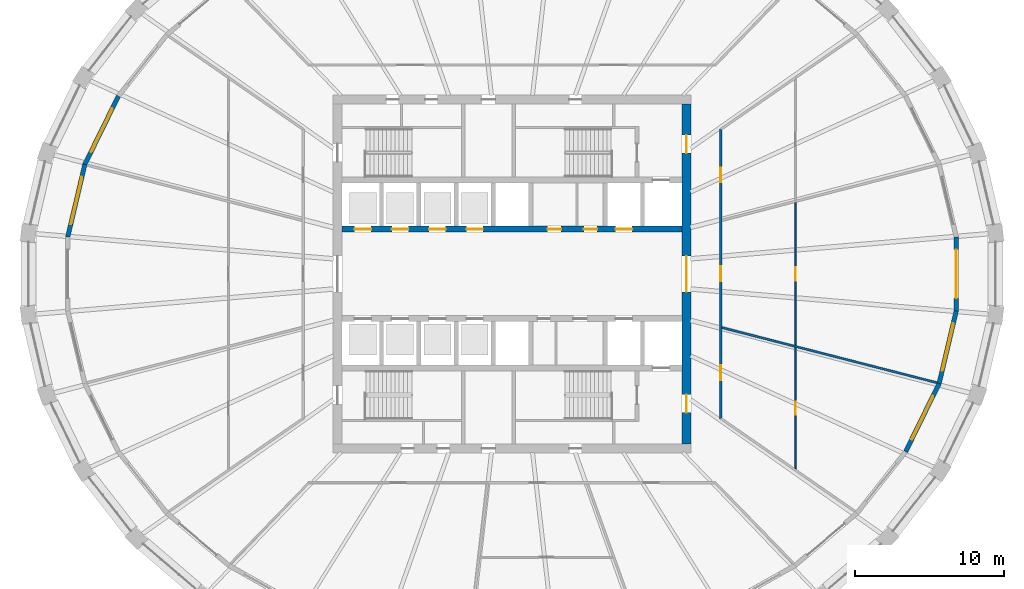
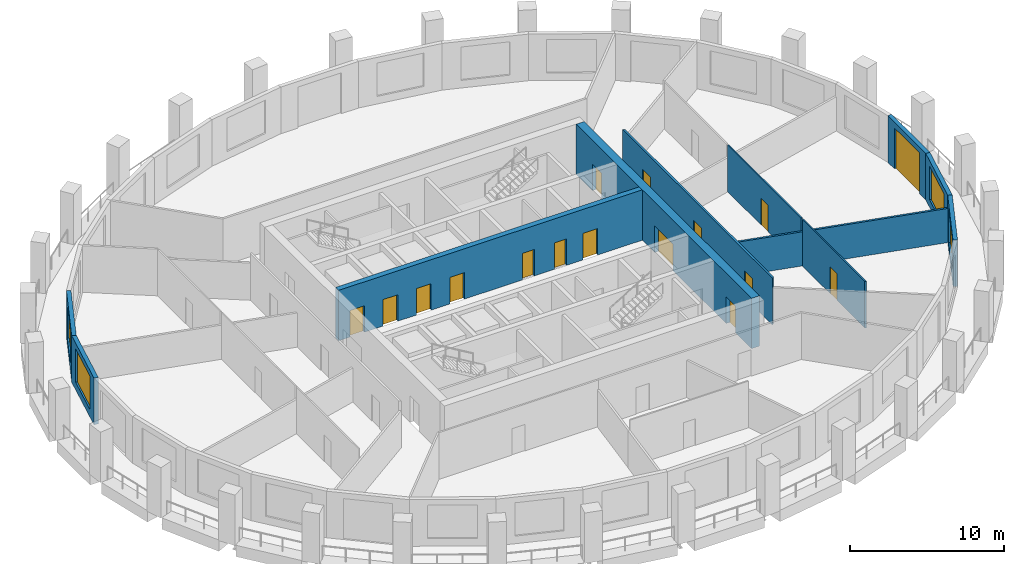
# One storey, part 5 of 10: 16 doors, 11 walls, 4 windows, 20 openings.
"""IFC4 building model written with IfcOpenShell, lengths in metres."""

from ifc_helpers import new_model, si_unit, direction, frame, frame_2d, origin, place, context, subcontext, project, spatial, polyline, rectangle, outline, extrude, material, layer, layer_set, type_object, element, fill, save


model = new_model("IFC4")

# Units and contexts
model_context = context("Model", 3, precision=1e-05, world=origin(), true_north=direction((0.0, 1.0)))
body_context = subcontext(model_context, "Body", "Model", "MODEL_VIEW")
ifc_project = project(units=[si_unit("LENGTHUNIT", "METRE"), si_unit("AREAUNIT", "SQUARE_METRE"), si_unit("VOLUMEUNIT", "CUBIC_METRE"), si_unit("PLANEANGLEUNIT", "RADIAN"), si_unit("MASSUNIT", "GRAM", prefix="KILO")], contexts=[model_context])

# Site, building, storey
site_placement = place(None, origin())
site = spatial("IfcSite", under=ifc_project, at=site_placement, CompositionType="ELEMENT")
building_placement = place(site_placement, origin())
building = spatial("IfcBuilding", under=site, at=building_placement, Name="Halqa Exchange Tower", CompositionType="ELEMENT")
storey_placement = place(building_placement, frame((0.0, 0.0, 194.89990234375)))
storey = spatial("IfcBuildingStorey", under=building, at=storey_placement, Name="L44", CompositionType="ELEMENT", Elevation=194.89990234375)

# Wall, openings, doors
ifc_material_1 = material(Name="Fire-rated gypsum board")
ifc_layer_1 = layer(ifc_material_1, 0.14990234375)
ifc_layer_set_1 = layer_set([ifc_layer_1], Name="Fire-rated gypsum board")
wall_type_1 = type_object("IfcWallType", Name="Fire partition EI 60 150", PredefinedType="PARTITIONING", material=ifc_layer_set_1)
wall_1_placement = place(storey_placement, frame((14.0, -9.729248046875, 0.0), z_axis=(0.0, 0.0, 1.0), x_axis=(0.0, 1.0, 0.0)))
wall_1 = element("IfcWall", 1, at=wall_1_placement, inside=storey, type_object=wall_type_1, Name="L44-PWL-020", PredefinedType="PARTITIONING", context=body_context, shape_type="SweptSolid", body=[
    extrude(outline(polyline([(0.07861328125, -0.074951171875), (2.008544921875, -0.074951171875), (3.938720703125, -0.074951171875), (5.868896484375, -0.074951171875), (7.799072265625, -0.074951171875), (9.729248046875, -0.074951171875), (11.659423828125, -0.074951171875), (13.589599609375, -0.074951171875), (15.519775390625, -0.074951171875), (17.44970703125, -0.074951171875), (19.3798828125, -0.074951171875), (19.45849609375, 0.074951171875), (19.45849609375, 0.074951171875), (17.5126953125, 0.074951171875), (15.56689453125, 0.074951171875), (13.620849609375, 0.074951171875), (11.675048828125, 0.074951171875), (9.729248046875, 0.074951171875), (7.783447265625, 0.074951171875), (5.837646484375, 0.074951171875), (3.8916015625, 0.074951171875), (1.94580078125, 0.074951171875), (0.0, 0.074951171875), (0.0, 0.074951171875), (0.07861328125, -0.074951171875)])), origin(), (0.0, 0.0, 1.0), 3.7001953125),
])
opening_1_placement = place(wall_1_placement, frame((2.59423828125, 0.0, 0.0)))
opening_1 = element("IfcOpeningElement", 2, at=opening_1_placement, cuts=wall_1, Name="Opening 13-09", PredefinedType="OPENING", context=body_context, shape_type="SweptSolid", body=[
    extrude(rectangle(XDim=1.0, YDim=2.10009765625, at=frame_2d((0.5, 1.050048828125))), frame((0.0, 0.0869140625, 0.0), z_axis=(0.0, -1.0, 0.0), x_axis=(1.0, 0.0, 0.0)), (0.0, 0.0, 1.0), 0.173828125),
])
opening_2_placement = place(wall_1_placement, frame((9.229248046875, 0.0, 0.0)))
opening_2 = element("IfcOpeningElement", 3, at=opening_2_placement, cuts=wall_1, Name="Opening 13-10", PredefinedType="OPENING", context=body_context, shape_type="SweptSolid", body=[
    extrude(rectangle(XDim=1.0, YDim=2.10009765625, at=frame_2d((0.5, 1.050048828125))), frame((0.0, 0.0869140625, 0.0), z_axis=(0.0, -1.0, 0.0), x_axis=(1.0, 0.0, 0.0)), (0.0, 0.0, 1.0), 0.173828125),
])
opening_3_placement = place(wall_1_placement, frame((15.8642578125, 0.0, 0.0)))
opening_3 = element("IfcOpeningElement", 4, at=opening_3_placement, cuts=wall_1, Name="Opening 13-11", PredefinedType="OPENING", context=body_context, shape_type="SweptSolid", body=[
    extrude(rectangle(XDim=1.0, YDim=2.10009765625, at=frame_2d((0.5, 1.050048828125))), frame((0.0, 0.0869140625, 0.0), z_axis=(0.0, -1.0, 0.0), x_axis=(1.0, 0.0, 0.0)), (0.0, 0.0, 1.0), 0.173828125),
])
ifc_material_2 = material(Name="Steel fire door leaf", Category="steel")
door_type_1 = type_object("IfcDoorType", Name="Fire door FD30S 1000 x 2100", OperationType="SINGLE_SWING_LEFT", PredefinedType="DOOR", material=ifc_material_2)
door_1_placement = place(opening_1_placement, frame((1.0, 0.0, 0.0), z_axis=(0.0, 0.0, 1.0), x_axis=(-1.0, 0.0, 0.0)))
door_1 = element("IfcDoor", 5, at=door_1_placement, inside=storey, type_object=door_type_1, Name="L44-IDR-009", OperationType="SINGLE_SWING_LEFT", OverallHeight=2.10009765625, OverallWidth=1.0, PredefinedType="DOOR", context=body_context, shape_type="SweptSolid", body=[
    extrude(rectangle(XDim=1.0, YDim=2.10009765625, at=frame_2d((0.5, 1.050048828125))), frame((0.0, 0.02490234375, 0.0), z_axis=(0.0, -1.0, 0.0), x_axis=(1.0, 0.0, 0.0)), (0.0, 0.0, 1.0), 0.050048828125),
])
fill(opening_1, door_1)
door_2_placement = place(opening_2_placement, frame((1.0, 0.0, 0.0), z_axis=(0.0, 0.0, 1.0), x_axis=(-1.0, 0.0, 0.0)))
door_2 = element("IfcDoor", 6, at=door_2_placement, inside=storey, type_object=door_type_1, Name="L44-IDR-010", OperationType="SINGLE_SWING_RIGHT", OverallHeight=2.10009765625, OverallWidth=1.0, PredefinedType="DOOR", context=body_context, shape_type="SweptSolid", body=[
    extrude(rectangle(XDim=1.0, YDim=2.10009765625, at=frame_2d((0.5, 1.050048828125))), frame((0.0, 0.02490234375, 0.0), z_axis=(0.0, -1.0, 0.0), x_axis=(1.0, 0.0, 0.0)), (0.0, 0.0, 1.0), 0.050048828125),
])
fill(opening_2, door_2)
door_3_placement = place(opening_3_placement, frame((1.0, 0.0, 0.0), z_axis=(0.0, 0.0, 1.0), x_axis=(-1.0, 0.0, 0.0)))
door_3 = element("IfcDoor", 7, at=door_3_placement, inside=storey, type_object=door_type_1, Name="L44-IDR-011", OperationType="SINGLE_SWING_RIGHT", OverallHeight=2.10009765625, OverallWidth=1.0, PredefinedType="DOOR", context=body_context, shape_type="SweptSolid", body=[
    extrude(rectangle(XDim=1.0, YDim=2.10009765625, at=frame_2d((0.5, 1.050048828125))), frame((0.0, 0.02490234375, 0.0), z_axis=(0.0, -1.0, 0.0), x_axis=(1.0, 0.0, 0.0)), (0.0, 0.0, 1.0), 0.050048828125),
])
fill(opening_3, door_3)

# Wall
wall_2_placement = place(storey_placement, frame((14.056640625, -3.594482421875, 0.0), z_axis=(0.0, 0.0, 1.0), x_axis=(0.96870063855, -0.248231893342, 0.0)))
element("IfcWall", 8, at=wall_2_placement, inside=storey, type_object=wall_type_1, Name="L44-PWL-022", PredefinedType="PARTITIONING", context=body_context, shape_type="SweptSolid", body=[
    extrude(outline(polyline([(0.0380859375, -0.074951171875), (1.748291015625, -0.074951171875), (3.458251953125, -0.074951171875), (5.168212890625, -0.074951171875), (5.173583984375, -0.073486328125), (5.173828125, -0.074951171875), (7.1171875, -0.074951171875), (9.060546875, -0.074951171875), (11.003662109375, -0.074951171875), (12.947021484375, -0.074951171875), (14.89013671875, -0.074951171875), (14.904296875, -0.007568359375), (14.904296875, 0.074951171875), (12.93115234375, 0.074951171875), (10.957763671875, 0.074951171875), (8.984619140625, 0.074951171875), (7.011474609375, 0.074951171875), (5.0380859375, 0.074951171875), (5.03271484375, 0.073486328125), (5.0322265625, 0.074951171875), (3.354736328125, 0.074951171875), (1.677490234375, 0.074951171875), (0.0, 0.074951171875), (0.0, 0.073974609375), (0.0380859375, -0.074951171875)])), origin(), (0.0, 0.0, 1.0), 2.710205078125),
])

# Wall, opening, door
ifc_material_3 = material(Name="Gypsum board")
ifc_layer_2 = layer(ifc_material_3, 0.10009765625)
ifc_layer_set_2 = layer_set([ifc_layer_2], Name="Gypsum board")
wall_type_2 = type_object("IfcWallType", Name="Partition 100 gypsum", PredefinedType="PARTITIONING", material=ifc_layer_set_2)
wall_3_placement = place(storey_placement, frame((19.0, -4.926025390625, 0.0), z_axis=(0.0, 0.0, 1.0), x_axis=(0.0, -1.0, 0.0)))
wall_3 = element("IfcWall", 9, at=wall_3_placement, inside=storey, type_object=wall_type_2, Name="L44-PWL-027", PredefinedType="PARTITIONING", context=body_context, shape_type="SweptSolid", body=[
    extrude(outline(polyline([(0.0, -0.050048828125), (1.6201171875, -0.050048828125), (3.240234375, -0.050048828125), (4.8603515625, -0.050048828125), (6.480712890625, -0.050048828125), (8.100830078125, -0.050048828125), (8.16943359375, 0.049072265625), (8.16943359375, 0.050048828125), (6.54052734375, 0.050048828125), (4.911865234375, 0.050048828125), (3.282958984375, 0.050048828125), (1.654296875, 0.050048828125), (0.025390625, 0.050048828125), (0.0, -0.04931640625), (0.0, -0.050048828125)])), origin(), (0.0, 0.0, 1.0), 3.7001953125),
])
opening_4_placement = place(wall_3_placement, frame((3.62890625, 0.0, 0.0)))
opening_4 = element("IfcOpeningElement", 10, at=opening_4_placement, cuts=wall_3, Name="Opening 13-16", PredefinedType="OPENING", context=body_context, shape_type="SweptSolid", body=[
    extrude(rectangle(XDim=0.89990234375, YDim=2.10009765625, at=frame_2d((0.449951171875, 1.050048828125))), frame((0.0, 0.06201171875, 0.0), z_axis=(0.0, -1.0, 0.0), x_axis=(1.0, 0.0, 0.0)), (0.0, 0.0, 1.0), 0.1240234375),
])
ifc_material_4 = material(Name="Timber door leaf", Category="wood")
door_type_2 = type_object("IfcDoorType", Name="Door 900 x 2100", OperationType="SINGLE_SWING_LEFT", PredefinedType="DOOR", material=ifc_material_4)
door_4_placement = place(opening_4_placement, frame((0.89990234375, 0.0, 0.0), z_axis=(0.0, 0.0, 1.0), x_axis=(-1.0, 0.0, 0.0)))
door_4 = element("IfcDoor", 11, at=door_4_placement, inside=storey, type_object=door_type_2, Name="L44-IDR-016", OperationType="SINGLE_SWING_LEFT", OverallHeight=2.10009765625, OverallWidth=0.89990234375, PredefinedType="DOOR", context=body_context, shape_type="SweptSolid", body=[
    extrude(rectangle(XDim=0.89990234375, YDim=2.10009765625, at=frame_2d((0.449951171875, 1.050048828125))), frame((0.0, 0.02490234375, 0.0), z_axis=(0.0, -1.0, 0.0), x_axis=(1.0, 0.0, 0.0)), (0.0, 0.0, 1.0), 0.050048828125),
])
fill(opening_4, door_4)

wall_4_placement = place(storey_placement, frame((19.0, 4.79638671875, 0.0), z_axis=(0.0, 0.0, 1.0), x_axis=(0.0, -1.0, 0.0)))
wall_4 = element("IfcWall", 12, at=wall_4_placement, inside=storey, type_object=wall_type_2, Name="L44-PWL-028", PredefinedType="PARTITIONING", context=body_context, shape_type="SweptSolid", body=[
    extrude(outline(polyline([(0.025390625, -0.050048828125), (1.933837890625, -0.050048828125), (3.84228515625, -0.050048828125), (5.75048828125, -0.050048828125), (7.658935546875, -0.050048828125), (9.5673828125, -0.050048828125), (9.5927734375, 0.049072265625), (9.5927734375, 0.050048828125), (7.67431640625, 0.050048828125), (5.755615234375, 0.050048828125), (3.837158203125, 0.050048828125), (1.91845703125, 0.050048828125), (0.0, 0.050048828125), (0.0, 0.049072265625), (0.025390625, -0.050048828125)])), origin(), (0.0, 0.0, 1.0), 3.7001953125),
])
opening_5_placement = place(wall_4_placement, frame((4.346435546875, 0.0, 0.0)))
opening_5 = element("IfcOpeningElement", 13, at=opening_5_placement, cuts=wall_4, Name="Opening 13-17", PredefinedType="OPENING", context=body_context, shape_type="SweptSolid", body=[
    extrude(rectangle(XDim=0.89990234375, YDim=2.10009765625, at=frame_2d((0.449951171875, 1.050048828125))), frame((0.0, 0.06201171875, 0.0), z_axis=(0.0, -1.0, 0.0), x_axis=(1.0, 0.0, 0.0)), (0.0, 0.0, 1.0), 0.1240234375),
])
door_5_placement = place(opening_5_placement, frame((0.89990234375, 0.0, 0.0), z_axis=(0.0, 0.0, 1.0), x_axis=(-1.0, 0.0, 0.0)))
door_5 = element("IfcDoor", 14, at=door_5_placement, inside=storey, type_object=door_type_2, Name="L44-IDR-017", OperationType="SINGLE_SWING_LEFT", OverallHeight=2.10009765625, OverallWidth=0.89990234375, PredefinedType="DOOR", context=body_context, shape_type="SweptSolid", body=[
    extrude(rectangle(XDim=0.89990234375, YDim=2.10009765625, at=frame_2d((0.449951171875, 1.050048828125))), frame((0.0, 0.02490234375, 0.0), z_axis=(0.0, -1.0, 0.0), x_axis=(1.0, 0.0, 0.0)), (0.0, 0.0, 1.0), 0.050048828125),
])
fill(opening_5, door_5)

# Wall, openings, doors
ifc_material_5 = material(Name="Concrete C70/85", Category="concrete")
ifc_layer_3 = layer(ifc_material_5, 0.39990234375)
ifc_layer_set_3 = layer_set([ifc_layer_3], Name="Concrete C70/85")
wall_type_3 = type_object("IfcWallType", Name="RC core wall 400 C70/85", PredefinedType="SHEAR", material=ifc_layer_set_3)
wall_5_placement = place(storey_placement, frame((-11.39990234375, 3.0, 0.0), z_axis=(0.0, 0.0, 1.0), x_axis=(1.0, 0.0, 0.0)))
wall_5 = element("IfcWall", 15, at=wall_5_placement, inside=storey, type_object=wall_type_3, Name="Lift row front wall N", PredefinedType="SHEAR", context=body_context, shape_type="SweptSolid", body=[
    extrude(rectangle(XDim=22.7998046875, YDim=0.39990234375, at=frame_2d((11.39990234375, 0.0))), origin(), (0.0, 0.0, 1.0), 4.0),
])
opening_6_placement = place(wall_5_placement, frame((0.85009765625, 0.0, 0.0)))
opening_6 = element("IfcOpeningElement", 16, at=opening_6_placement, cuts=wall_5, Name="Opening LD-HR1-T13", PredefinedType="OPENING", context=body_context, shape_type="SweptSolid", body=[
    extrude(rectangle(XDim=1.10009765625, YDim=2.10009765625, at=frame_2d((0.550048828125, 1.050048828125))), frame((0.0, 0.2119140625, 0.0), z_axis=(0.0, -1.0, 0.0), x_axis=(1.0, 0.0, 0.0)), (0.0, 0.0, 1.0), 0.423828125),
])
opening_7_placement = place(wall_5_placement, frame((3.35009765625, 0.0, 0.0)))
opening_7 = element("IfcOpeningElement", 17, at=opening_7_placement, cuts=wall_5, Name="Opening LD-HR2-T13", PredefinedType="OPENING", context=body_context, shape_type="SweptSolid", body=[
    extrude(rectangle(XDim=1.10009765625, YDim=2.10009765625, at=frame_2d((0.550048828125, 1.050048828125))), frame((0.0, 0.2119140625, 0.0), z_axis=(0.0, -1.0, 0.0), x_axis=(1.0, 0.0, 0.0)), (0.0, 0.0, 1.0), 0.423828125),
])
opening_8_placement = place(wall_5_placement, frame((5.85009765625, 0.0, 0.0)))
opening_8 = element("IfcOpeningElement", 18, at=opening_8_placement, cuts=wall_5, Name="Opening LD-MR1-T13", PredefinedType="OPENING", context=body_context, shape_type="SweptSolid", body=[
    extrude(rectangle(XDim=1.10009765625, YDim=2.10009765625, at=frame_2d((0.550048828125, 1.050048828125))), frame((0.0, 0.2119140625, 0.0), z_axis=(0.0, -1.0, 0.0), x_axis=(1.0, 0.0, 0.0)), (0.0, 0.0, 1.0), 0.423828125),
])
opening_9_placement = place(wall_5_placement, frame((8.35009765625, 0.0, 0.0)))
opening_9 = element("IfcOpeningElement", 19, at=opening_9_placement, cuts=wall_5, Name="Opening LD-MR2-T13", PredefinedType="OPENING", context=body_context, shape_type="SweptSolid", body=[
    extrude(rectangle(XDim=1.10009765625, YDim=2.10009765625, at=frame_2d((0.550048828125, 1.050048828125))), frame((0.0, 0.2119140625, 0.0), z_axis=(0.0, -1.0, 0.0), x_axis=(1.0, 0.0, 0.0)), (0.0, 0.0, 1.0), 0.423828125),
])
opening_10_placement = place(wall_5_placement, frame((18.35009765625, 0.0, 0.0)))
opening_10 = element("IfcOpeningElement", 20, at=opening_10_placement, cuts=wall_5, Name="Opening LD-SV1-T13", PredefinedType="OPENING", context=body_context, shape_type="SweptSolid", body=[
    extrude(rectangle(XDim=1.10009765625, YDim=2.10009765625, at=frame_2d((0.550048828125, 1.050048828125))), frame((0.0, 0.2119140625, 0.0), z_axis=(0.0, -1.0, 0.0), x_axis=(1.0, 0.0, 0.0)), (0.0, 0.0, 1.0), 0.423828125),
])
opening_11_placement = place(wall_5_placement, frame((13.78759765625, 0.0, 0.0)))
opening_11 = element("IfcOpeningElement", 21, at=opening_11_placement, cuts=wall_5, Name="Opening T13-C29", PredefinedType="OPENING", context=body_context, shape_type="SweptSolid", body=[
    extrude(rectangle(XDim=0.89990234375, YDim=2.10009765625, at=frame_2d((0.449951171875, 1.050048828125))), frame((0.0, 0.2119140625, 0.0), z_axis=(0.0, -1.0, 0.0), x_axis=(1.0, 0.0, 0.0)), (0.0, 0.0, 1.0), 0.423828125),
])
opening_12_placement = place(wall_5_placement, frame((16.21240234375, 0.0, 0.0)))
opening_12 = element("IfcOpeningElement", 22, at=opening_12_placement, cuts=wall_5, Name="Opening T13-C30", PredefinedType="OPENING", context=body_context, shape_type="SweptSolid", body=[
    extrude(rectangle(XDim=0.89990234375, YDim=2.10009765625, at=frame_2d((0.449951171875, 1.050048828125))), frame((0.0, 0.2119140625, 0.0), z_axis=(0.0, -1.0, 0.0), x_axis=(1.0, 0.0, 0.0)), (0.0, 0.0, 1.0), 0.423828125),
])
ifc_material_6 = material(Name="Timber fire door leaf", Category="wood")
door_type_3 = type_object("IfcDoorType", Name="Core room door FD30 900 x 2100", OperationType="SINGLE_SWING_LEFT", PredefinedType="DOOR", material=ifc_material_6)
door_6_placement = place(opening_11_placement, origin())
door_6 = element("IfcDoor", 23, at=door_6_placement, inside=storey, type_object=door_type_3, Name="Core room door", OperationType="SINGLE_SWING_LEFT", OverallHeight=2.10009765625, OverallWidth=0.89990234375, PredefinedType="DOOR", context=body_context, shape_type="SweptSolid", body=[
    extrude(rectangle(XDim=0.89990234375, YDim=2.10009765625, at=frame_2d((0.449951171875, 1.050048828125))), frame((0.0, 0.02490234375, 0.0), z_axis=(0.0, -1.0, 0.0), x_axis=(1.0, 0.0, 0.0)), (0.0, 0.0, 1.0), 0.050048828125),
])
fill(opening_11, door_6)
door_7_placement = place(opening_12_placement, origin())
door_7 = element("IfcDoor", 24, at=door_7_placement, inside=storey, type_object=door_type_3, Name="Core room door", OperationType="SINGLE_SWING_RIGHT", OverallHeight=2.10009765625, OverallWidth=0.89990234375, PredefinedType="DOOR", context=body_context, shape_type="SweptSolid", body=[
    extrude(rectangle(XDim=0.89990234375, YDim=2.10009765625, at=frame_2d((0.449951171875, 1.050048828125))), frame((0.0, 0.02490234375, 0.0), z_axis=(0.0, -1.0, 0.0), x_axis=(1.0, 0.0, 0.0)), (0.0, 0.0, 1.0), 0.050048828125),
])
fill(opening_12, door_7)
ifc_material_7 = material(Name="Stainless steel", Category="steel")
door_type_4 = type_object("IfcDoorType", Name="Lift landing door 1100 x 2100", OperationType="SLIDING_TO_LEFT", PredefinedType="DOOR", material=ifc_material_7)
door_8_placement = place(opening_6_placement, origin())
door_8 = element("IfcDoor", 25, at=door_8_placement, inside=storey, type_object=door_type_4, Name="Lift landing door HR1", OperationType="SLIDING_TO_LEFT", OverallHeight=2.10009765625, OverallWidth=1.10009765625, PredefinedType="DOOR", context=body_context, shape_type="SweptSolid", body=[
    extrude(rectangle(XDim=1.10009765625, YDim=2.10009765625, at=frame_2d((0.550048828125, 1.050048828125))), frame((0.0, 0.02490234375, 0.0), z_axis=(0.0, -1.0, 0.0), x_axis=(1.0, 0.0, 0.0)), (0.0, 0.0, 1.0), 0.050048828125),
])
fill(opening_6, door_8)
door_9_placement = place(opening_7_placement, origin())
door_9 = element("IfcDoor", 26, at=door_9_placement, inside=storey, type_object=door_type_4, Name="Lift landing door HR2", OperationType="SLIDING_TO_LEFT", OverallHeight=2.10009765625, OverallWidth=1.10009765625, PredefinedType="DOOR", context=body_context, shape_type="SweptSolid", body=[
    extrude(rectangle(XDim=1.10009765625, YDim=2.10009765625, at=frame_2d((0.550048828125, 1.050048828125))), frame((0.0, 0.02490234375, 0.0), z_axis=(0.0, -1.0, 0.0), x_axis=(1.0, 0.0, 0.0)), (0.0, 0.0, 1.0), 0.050048828125),
])
fill(opening_7, door_9)
door_10_placement = place(opening_8_placement, origin())
door_10 = element("IfcDoor", 27, at=door_10_placement, inside=storey, type_object=door_type_4, Name="Lift landing door MR1", OperationType="SLIDING_TO_LEFT", OverallHeight=2.10009765625, OverallWidth=1.10009765625, PredefinedType="DOOR", context=body_context, shape_type="SweptSolid", body=[
    extrude(rectangle(XDim=1.10009765625, YDim=2.10009765625, at=frame_2d((0.550048828125, 1.050048828125))), frame((0.0, 0.02490234375, 0.0), z_axis=(0.0, -1.0, 0.0), x_axis=(1.0, 0.0, 0.0)), (0.0, 0.0, 1.0), 0.050048828125),
])
fill(opening_8, door_10)
door_11_placement = place(opening_9_placement, origin())
door_11 = element("IfcDoor", 28, at=door_11_placement, inside=storey, type_object=door_type_4, Name="Lift landing door MR2", OperationType="SLIDING_TO_LEFT", OverallHeight=2.10009765625, OverallWidth=1.10009765625, PredefinedType="DOOR", context=body_context, shape_type="SweptSolid", body=[
    extrude(rectangle(XDim=1.10009765625, YDim=2.10009765625, at=frame_2d((0.550048828125, 1.050048828125))), frame((0.0, 0.02490234375, 0.0), z_axis=(0.0, -1.0, 0.0), x_axis=(1.0, 0.0, 0.0)), (0.0, 0.0, 1.0), 0.050048828125),
])
fill(opening_9, door_11)
door_12_placement = place(opening_10_placement, origin())
door_12 = element("IfcDoor", 29, at=door_12_placement, inside=storey, type_object=door_type_4, Name="Lift landing door SV1", OperationType="SLIDING_TO_LEFT", OverallHeight=2.10009765625, OverallWidth=1.10009765625, PredefinedType="DOOR", context=body_context, shape_type="SweptSolid", body=[
    extrude(rectangle(XDim=1.10009765625, YDim=2.10009765625, at=frame_2d((0.550048828125, 1.050048828125))), frame((0.0, 0.02490234375, 0.0), z_axis=(0.0, -1.0, 0.0), x_axis=(1.0, 0.0, 0.0)), (0.0, 0.0, 1.0), 0.050048828125),
])
fill(opening_10, door_12)

ifc_layer_4 = layer(ifc_material_5, 0.60009765625)
ifc_layer_set_4 = layer_set([ifc_layer_4], Name="Concrete C70/85")
wall_type_4 = type_object("IfcWallType", Name="RC core wall 600 C70/85", PredefinedType="SHEAR", material=ifc_layer_set_4)
wall_6_placement = place(storey_placement, frame((11.699951171875, -11.39990234375, 0.0), z_axis=(0.0, 0.0, 1.0), x_axis=(0.0, 1.0, 0.0)))
wall_6 = element("IfcWall", 30, at=wall_6_placement, inside=storey, type_object=wall_type_4, Name="Core wall east", PredefinedType="SHEAR", context=body_context, shape_type="SweptSolid", body=[
    extrude(rectangle(XDim=22.7998046875, YDim=0.60009765625, at=frame_2d((11.39990234375, 0.0))), origin(), (0.0, 0.0, 1.0), 4.0),
])
opening_13_placement = place(wall_6_placement, frame((10.199951171875, 0.0, 0.0)))
opening_13 = element("IfcOpeningElement", 31, at=opening_13_placement, cuts=wall_6, Name="Opening T13-C14", PredefinedType="OPENING", context=body_context, shape_type="SweptSolid", body=[
    extrude(rectangle(XDim=2.39990234375, YDim=2.10009765625, at=frame_2d((1.199951171875, 1.050048828125))), frame((0.0, 0.31201171875, 0.0), z_axis=(0.0, -1.0, 0.0), x_axis=(1.0, 0.0, 0.0)), (0.0, 0.0, 1.0), 0.6240234375),
])
opening_14_placement = place(wall_6_placement, frame((19.5, 0.0, 0.0)))
opening_14 = element("IfcOpeningElement", 32, at=opening_14_placement, cuts=wall_6, Name="Opening T13-C19", PredefinedType="OPENING", context=body_context, shape_type="SweptSolid", body=[
    extrude(rectangle(XDim=1.199951171875, YDim=2.10009765625, at=frame_2d((0.60009765625, 1.050048828125))), frame((0.0, 0.31201171875, 0.0), z_axis=(0.0, -1.0, 0.0), x_axis=(1.0, 0.0, 0.0)), (0.0, 0.0, 1.0), 0.6240234375),
])
opening_15_placement = place(wall_6_placement, frame((2.10009765625, 0.0, 0.0)))
opening_15 = element("IfcOpeningElement", 33, at=opening_15_placement, cuts=wall_6, Name="Opening T13-C20", PredefinedType="OPENING", context=body_context, shape_type="SweptSolid", body=[
    extrude(rectangle(XDim=1.199951171875, YDim=2.10009765625, at=frame_2d((0.60009765625, 1.050048828125))), frame((0.0, 0.31201171875, 0.0), z_axis=(0.0, -1.0, 0.0), x_axis=(1.0, 0.0, 0.0)), (0.0, 0.0, 1.0), 0.6240234375),
])
door_type_5 = type_object("IfcDoorType", Name="Firefighting lobby door FD90 1200 x 2100", OperationType="SINGLE_SWING_RIGHT", PredefinedType="DOOR", material=ifc_material_2)
door_13_placement = place(opening_14_placement, origin())
door_13 = element("IfcDoor", 34, at=door_13_placement, inside=storey, type_object=door_type_5, Name="Firefighting lobby door", OperationType="SINGLE_SWING_RIGHT", OverallHeight=2.10009765625, OverallWidth=1.199951171875, PredefinedType="DOOR", context=body_context, shape_type="SweptSolid", body=[
    extrude(rectangle(XDim=1.199951171875, YDim=2.10009765625, at=frame_2d((0.60009765625, 1.050048828125))), frame((0.0, 0.02490234375, 0.0), z_axis=(0.0, -1.0, 0.0), x_axis=(1.0, 0.0, 0.0)), (0.0, 0.0, 1.0), 0.050048828125),
])
fill(opening_14, door_13)
door_14_placement = place(opening_15_placement, origin())
door_14 = element("IfcDoor", 35, at=door_14_placement, inside=storey, type_object=door_type_5, Name="Firefighting lobby door", OperationType="SINGLE_SWING_LEFT", OverallHeight=2.10009765625, OverallWidth=1.199951171875, PredefinedType="DOOR", context=body_context, shape_type="SweptSolid", body=[
    extrude(rectangle(XDim=1.199951171875, YDim=2.10009765625, at=frame_2d((0.60009765625, 1.050048828125))), frame((0.0, 0.02490234375, 0.0), z_axis=(0.0, -1.0, 0.0), x_axis=(1.0, 0.0, 0.0)), (0.0, 0.0, 1.0), 0.050048828125),
])
fill(opening_15, door_14)
door_type_6 = type_object("IfcDoorType", Name="Lobby double door FD60 2400 x 2100", OperationType="DOUBLE_DOOR_SINGLE_SWING", PredefinedType="DOOR", material=ifc_material_2)
door_15_placement = place(opening_13_placement, origin())
door_15 = element("IfcDoor", 36, at=door_15_placement, inside=storey, type_object=door_type_6, Name="Lift lobby double door", OperationType="DOUBLE_DOOR_SINGLE_SWING", OverallHeight=2.10009765625, OverallWidth=2.39990234375, PredefinedType="DOOR", context=body_context, shape_type="SweptSolid", body=[
    extrude(rectangle(XDim=2.39990234375, YDim=2.10009765625, at=frame_2d((1.199951171875, 1.050048828125))), frame((0.0, 0.02490234375, 0.0), z_axis=(0.0, -1.0, 0.0), x_axis=(1.0, 0.0, 0.0)), (0.0, 0.0, 1.0), 0.050048828125),
])
fill(opening_13, door_15)

# Wall, opening, window
ifc_material_8 = material(Name="Limestone cladding", Category="masonry")
ifc_layer_5 = layer(ifc_material_8, 0.0400390625)
ifc_material_9 = material(Name="Ventilated cavity")
ifc_layer_6 = layer(ifc_material_9, 0.030029296875, ventilated=True)
ifc_material_10 = material(Name="Mineral wool insulation")
ifc_layer_7 = layer(ifc_material_10, 0.10009765625)
ifc_material_11 = material(Name="Concrete C30/37", Category="concrete")
ifc_layer_8 = layer(ifc_material_11, 0.10009765625)
ifc_material_12 = material(Name="Internal plaster")
ifc_layer_9 = layer(ifc_material_12, 0.030029296875)
ifc_layer_set_5 = layer_set([ifc_layer_5, ifc_layer_6, ifc_layer_7, ifc_layer_8, ifc_layer_9], Name="Stone-faced insulated wall 300")
wall_type_5 = type_object("IfcWallType", Name="Stone-faced insulated wall 300", PredefinedType="STANDARD", material=ifc_layer_set_5)
wall_7_placement = place(storey_placement, frame((-26.39013671875, 11.92431640625, 0.0), z_axis=(0.0, 0.0, 1.0), x_axis=(-0.440694221881, -0.897657285829, 0.0)))
wall_7 = element("IfcWall", 37, at=wall_7_placement, inside=storey, type_object=wall_type_5, Name="Glass-line wall 14", PredefinedType="STANDARD", context=body_context, shape_type="SweptSolid", body=[
    extrude(outline(polyline([(-0.01611328125, -0.14990234375), (5.119140625, -0.14990234375), (5.08544921875, 0.14990234375), (0.01611328125, 0.14990234375), (-0.01611328125, -0.14990234375)])), origin(), (0.0, 0.0, 1.0), 3.7001953125),
])
opening_16_placement = place(wall_7_placement, frame((0.926025390625, 0.0, 0.60009765625)))
opening_16 = element("IfcOpeningElement", 38, at=opening_16_placement, cuts=wall_7, Name="Opening W-F3-14", PredefinedType="OPENING", context=body_context, shape_type="SweptSolid", body=[
    extrude(rectangle(XDim=3.25, YDim=2.64990234375, at=frame_2d((1.625, 1.324951171875))), frame((0.0, 0.162109375, 0.0), z_axis=(0.0, -1.0, 0.0), x_axis=(1.0, 0.0, 0.0)), (0.0, 0.0, 1.0), 0.323974609375),
])
ifc_material_13 = material(Name="Clear low-emissivity glass in aluminium frame", Category="aluminium")
window_type = type_object("IfcWindowType", Name="Fixed clear glazed window 3250 x 2650", PartitioningType="TRIPLE_PANEL_VERTICAL", PredefinedType="WINDOW", material=ifc_material_13)
window_1_placement = place(opening_16_placement, origin())
window_1 = element("IfcWindow", 39, at=window_1_placement, inside=storey, type_object=window_type, Name="Window 3", OverallHeight=2.64990234375, OverallWidth=3.25, PartitioningType="TRIPLE_PANEL_VERTICAL", PredefinedType="WINDOW", context=body_context, shape_type="SweptSolid", body=[
    extrude(rectangle(XDim=3.25, YDim=2.64990234375, at=frame_2d((1.625, 1.324951171875))), frame((0.0, 0.030029296875, 0.0), z_axis=(0.0, -1.0, 0.0), x_axis=(1.0, 0.0, 0.0)), (0.0, 0.0, 1.0), 0.06005859375),
])
fill(opening_16, window_1)

wall_8_placement = place(storey_placement, frame((-28.638671875, 7.34423828125, 0.0), z_axis=(0.0, 0.0, 1.0), x_axis=(-0.229455912692, -0.97331905567, 0.0)))
wall_8 = element("IfcWall", 40, at=wall_8_placement, inside=storey, type_object=wall_type_5, Name="Glass-line wall 15", PredefinedType="STANDARD", context=body_context, shape_type="SweptSolid", body=[
    extrude(outline(polyline([(-0.016845703125, -0.14990234375), (5.014892578125, -0.14990234375), (4.980224609375, 0.14990234375), (0.016845703125, 0.14990234375), (-0.016845703125, -0.14990234375)])), origin(), (0.0, 0.0, 1.0), 3.7001953125),
])
opening_17_placement = place(wall_8_placement, frame((0.873779296875, 0.0, 0.60009765625)))
opening_17 = element("IfcOpeningElement", 41, at=opening_17_placement, cuts=wall_8, Name="Opening W-F3-15", PredefinedType="OPENING", context=body_context, shape_type="SweptSolid", body=[
    extrude(rectangle(XDim=3.25, YDim=2.64990234375, at=frame_2d((1.625, 1.324951171875))), frame((0.0, 0.162109375, 0.0), z_axis=(0.0, -1.0, 0.0), x_axis=(1.0, 0.0, 0.0)), (0.0, 0.0, 1.0), 0.323974609375),
])
window_2_placement = place(opening_17_placement, origin())
window_2 = element("IfcWindow", 42, at=window_2_placement, inside=storey, type_object=window_type, Name="Window 3", OverallHeight=2.64990234375, OverallWidth=3.25, PartitioningType="TRIPLE_PANEL_VERTICAL", PredefinedType="WINDOW", context=body_context, shape_type="SweptSolid", body=[
    extrude(rectangle(XDim=3.25, YDim=2.64990234375, at=frame_2d((1.625, 1.324951171875))), frame((0.0, 0.030029296875, 0.0), z_axis=(0.0, -1.0, 0.0), x_axis=(1.0, 0.0, 0.0)), (0.0, 0.0, 1.0), 0.06005859375),
])
fill(opening_17, window_2)

wall_9_placement = place(storey_placement, frame((26.39013671875, -11.92431640625, 0.0), z_axis=(0.0, 0.0, 1.0), x_axis=(0.440694221881, 0.897657285829, 0.0)))
wall_9 = element("IfcWall", 43, at=wall_9_placement, inside=storey, type_object=wall_type_5, Name="Glass-line wall 30", PredefinedType="STANDARD", context=body_context, shape_type="SweptSolid", body=[
    extrude(outline(polyline([(-0.01611328125, -0.14990234375), (5.119140625, -0.14990234375), (5.08544921875, 0.14990234375), (0.01611328125, 0.14990234375), (-0.01611328125, -0.14990234375)])), origin(), (0.0, 0.0, 1.0), 3.7001953125),
])
opening_18_placement = place(wall_9_placement, frame((0.926025390625, 0.0, 0.60009765625)))
opening_18 = element("IfcOpeningElement", 44, at=opening_18_placement, cuts=wall_9, Name="Opening W-F3-30", PredefinedType="OPENING", context=body_context, shape_type="SweptSolid", body=[
    extrude(rectangle(XDim=3.25, YDim=2.64990234375, at=frame_2d((1.625, 1.324951171875))), frame((0.0, 0.162109375, 0.0), z_axis=(0.0, -1.0, 0.0), x_axis=(1.0, 0.0, 0.0)), (0.0, 0.0, 1.0), 0.323974609375),
])
window_3_placement = place(opening_18_placement, origin())
window_3 = element("IfcWindow", 45, at=window_3_placement, inside=storey, type_object=window_type, Name="Window 3", OverallHeight=2.64990234375, OverallWidth=3.25, PartitioningType="TRIPLE_PANEL_VERTICAL", PredefinedType="WINDOW", context=body_context, shape_type="SweptSolid", body=[
    extrude(rectangle(XDim=3.25, YDim=2.64990234375, at=frame_2d((1.625, 1.324951171875))), frame((0.0, 0.030029296875, 0.0), z_axis=(0.0, -1.0, 0.0), x_axis=(1.0, 0.0, 0.0)), (0.0, 0.0, 1.0), 0.06005859375),
])
fill(opening_18, window_3)

wall_10_placement = place(storey_placement, frame((28.638671875, -7.34423828125, 0.0), z_axis=(0.0, 0.0, 1.0), x_axis=(0.229455912692, 0.97331905567, 0.0)))
wall_10 = element("IfcWall", 46, at=wall_10_placement, inside=storey, type_object=wall_type_5, Name="Glass-line wall 31", PredefinedType="STANDARD", context=body_context, shape_type="SweptSolid", body=[
    extrude(outline(polyline([(-0.016845703125, -0.14990234375), (5.014892578125, -0.14990234375), (4.980224609375, 0.14990234375), (0.016845703125, 0.14990234375), (-0.016845703125, -0.14990234375)])), origin(), (0.0, 0.0, 1.0), 3.7001953125),
])
opening_19_placement = place(wall_10_placement, frame((0.873779296875, 0.0, 0.60009765625)))
opening_19 = element("IfcOpeningElement", 47, at=opening_19_placement, cuts=wall_10, Name="Opening W-F3-31", PredefinedType="OPENING", context=body_context, shape_type="SweptSolid", body=[
    extrude(rectangle(XDim=3.25, YDim=2.64990234375, at=frame_2d((1.625, 1.324951171875))), frame((0.0, 0.162109375, 0.0), z_axis=(0.0, -1.0, 0.0), x_axis=(1.0, 0.0, 0.0)), (0.0, 0.0, 1.0), 0.323974609375),
])
window_4_placement = place(opening_19_placement, origin())
window_4 = element("IfcWindow", 48, at=window_4_placement, inside=storey, type_object=window_type, Name="Window 3", OverallHeight=2.64990234375, OverallWidth=3.25, PartitioningType="TRIPLE_PANEL_VERTICAL", PredefinedType="WINDOW", context=body_context, shape_type="SweptSolid", body=[
    extrude(rectangle(XDim=3.25, YDim=2.64990234375, at=frame_2d((1.625, 1.324951171875))), frame((0.0, 0.030029296875, 0.0), z_axis=(0.0, -1.0, 0.0), x_axis=(1.0, 0.0, 0.0)), (0.0, 0.0, 1.0), 0.06005859375),
])
fill(opening_19, window_4)

# Wall, opening, door
wall_11_placement = place(storey_placement, frame((29.785400390625, -2.47998046875, 0.0), z_axis=(0.0, 0.0, 1.0), x_axis=(0.0, 1.0, 0.0)))
wall_11 = element("IfcWall", 49, at=wall_11_placement, inside=storey, type_object=wall_type_5, Name="Glass-line wall 32", PredefinedType="STANDARD", context=body_context, shape_type="SweptSolid", body=[
    extrude(outline(polyline([(-0.017333984375, -0.14990234375), (4.977294921875, -0.14990234375), (4.942626953125, 0.14990234375), (0.017333984375, 0.14990234375), (-0.017333984375, -0.14990234375)])), origin(), (0.0, 0.0, 1.0), 3.7001953125),
])
opening_20_placement = place(wall_11_placement, frame((0.85498046875, 0.0, 0.0)))
opening_20 = element("IfcOpeningElement", 50, at=opening_20_placement, cuts=wall_11, Name="Opening LG-F3-08", PredefinedType="OPENING", context=body_context, shape_type="SweptSolid", body=[
    extrude(rectangle(XDim=3.25, YDim=3.25, at=frame_2d((1.625, 1.625))), frame((0.0, 0.162109375, 0.0), z_axis=(0.0, -1.0, 0.0), x_axis=(1.0, 0.0, 0.0)), (0.0, 0.0, 1.0), 0.323974609375),
])
door_type_7 = type_object("IfcDoorType", Name="Glazed sliding loggia door 3250 x 3250", OperationType="DOUBLE_DOOR_SLIDING", PredefinedType="DOOR", material=ifc_material_13)
door_16_placement = place(opening_20_placement, origin())
door_16 = element("IfcDoor", 51, at=door_16_placement, inside=storey, type_object=door_type_7, Name="Loggia door 8", OperationType="DOUBLE_DOOR_SLIDING", OverallHeight=3.25, OverallWidth=3.25, PredefinedType="DOOR", context=body_context, shape_type="SweptSolid", body=[
    extrude(rectangle(XDim=3.25, YDim=3.25, at=frame_2d((1.625, 1.625))), frame((0.0, 0.02490234375, 0.0), z_axis=(0.0, -1.0, 0.0), x_axis=(1.0, 0.0, 0.0)), (0.0, 0.0, 1.0), 0.050048828125),
])
fill(opening_20, door_16)

save(model, "model.ifc")
